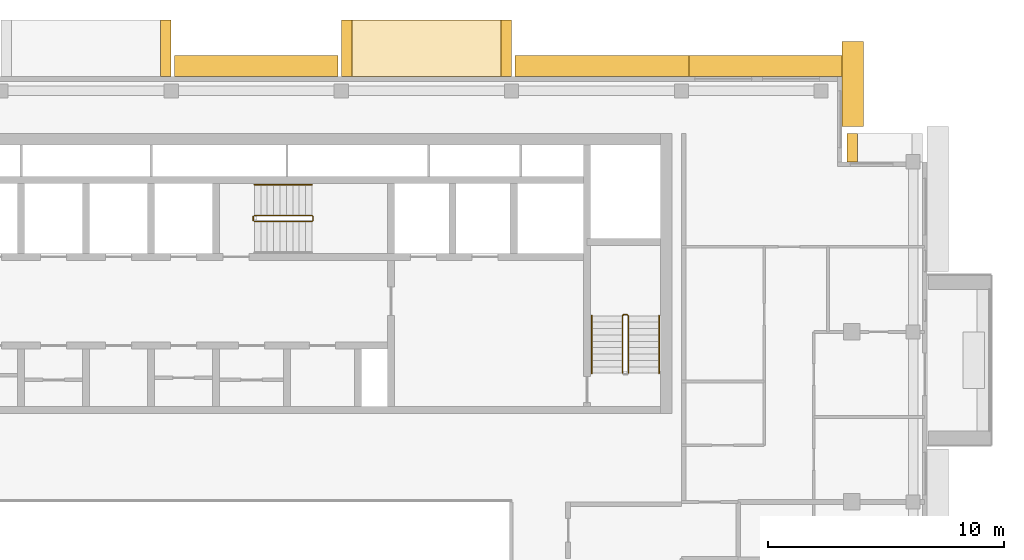
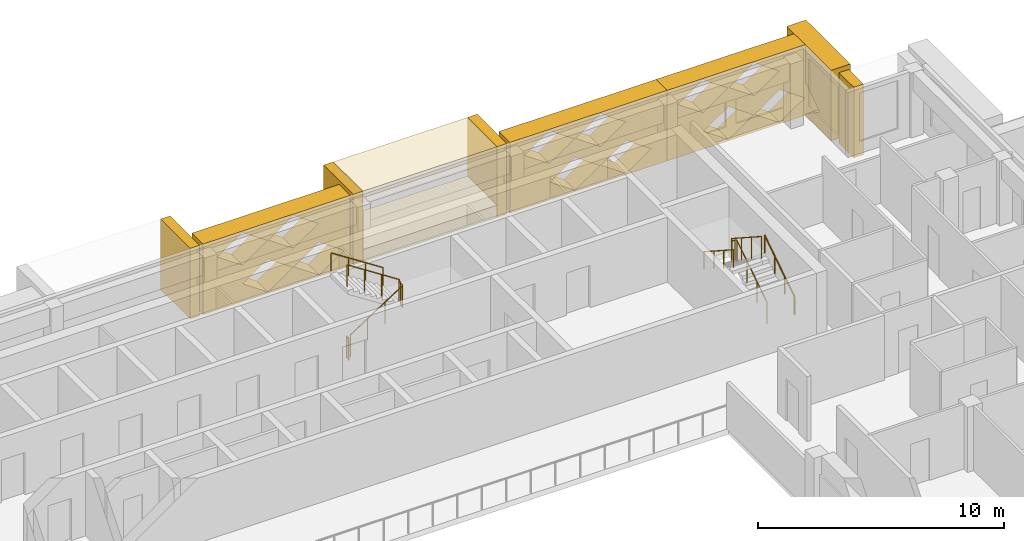
# One storey, part 18 of 19: 10 coverings, 6 railings.
"""IFC4 building model written with IfcOpenShell, lengths in metres."""

from ifc_helpers import new_model, si_unit, direction, frame, origin, origin_2d, place, context, subcontext, project, spatial, polyline, circle, outline, extrude, material, type_object, element, save


model = new_model("IFC4")

# Units and contexts
model_context = context("Model", 3, precision=1e-05, world=origin(), true_north=direction((0.0, 1.0)))
body_context = subcontext(model_context, "Body", "Model", "MODEL_VIEW")
ifc_project = project(units=[si_unit("LENGTHUNIT", "METRE"), si_unit("AREAUNIT", "SQUARE_METRE"), si_unit("VOLUMEUNIT", "CUBIC_METRE"), si_unit("PLANEANGLEUNIT", "RADIAN"), si_unit("MASSUNIT", "GRAM", prefix="KILO")], contexts=[model_context])

# Site, building, storey
site_placement = place(None, origin())
site = spatial("IfcSite", under=ifc_project, at=site_placement, CompositionType="ELEMENT")
building_placement = place(site_placement, origin())
building = spatial("IfcBuilding", under=site, at=building_placement, Name="Saffron Iwan Residences", CompositionType="ELEMENT")
storey_placement = place(building_placement, frame((0.0, 0.0, 253.5)))
storey = spatial("IfcBuildingStorey", under=building, at=storey_placement, Name="L68", CompositionType="ELEMENT", Elevation=253.5)

# Coverings
ifc_material_1 = material(Name="Precast concrete C40/50", Category="concrete")
covering_type_1 = type_object("IfcCoveringType", Name="OUTER SKIN LATTICE SCREEN", PredefinedType="CLADDING", material=ifc_material_1)
covering_1_placement = place(storey_placement, frame((78.800048828125, 78.300048828125, -0.280029296875), z_axis=(1.0, 0.0, 0.0), x_axis=(0.0, 1.0, 0.0)))
element("IfcCovering", 1, at=covering_1_placement, inside=storey, type_object=covering_type_1, Name="OUTER SKIN lattice screen L68 F4.0", PredefinedType="CLADDING", context=body_context, shape_type="SweptSolid", body=[
    extrude(outline(polyline([(0.0, 0.0), (3.60009765625, 0.0), (3.60009765625, 3.5), (0.0, 3.5), (0.0, 0.0)]), holes=[polyline([(0.919921875, 0.875), (2.10009765625, 0.06005859375), (3.280029296875, 0.875), (2.10009765625, 1.68994140625), (0.919921875, 0.875)])]), origin(), (0.0, 0.0, 1.0), 0.89990234375),
])
covering_2_placement = place(storey_placement, frame((79.699951171875, 80.39990234375, -0.280029296875), z_axis=(0.0, 1.0, 0.0), x_axis=(-1.0, 0.0, 0.0)))
element("IfcCovering", 2, at=covering_2_placement, inside=storey, type_object=covering_type_1, Name="OUTER SKIN lattice screen L68 F5.0", PredefinedType="CLADDING", context=body_context, shape_type="SweptSolid", body=[
    extrude(outline(polyline([(0.0, 0.0), (7.375, 0.0), (7.375, 3.5), (0.0, 3.5), (0.0, 0.0)]), holes=[polyline([(0.919921875, 0.875), (2.10009765625, 0.06005859375), (3.280029296875, 0.875), (2.10009765625, 1.68994140625), (0.919921875, 0.875)]), polyline([(3.320068359375, 0.875), (4.5, 0.06005859375), (5.679931640625, 0.875), (4.5, 1.68994140625), (3.320068359375, 0.875)]), polyline([(2.1201171875, 2.625), (3.300048828125, 1.81005859375), (4.47998046875, 2.625), (3.300048828125, 3.43994140625), (2.1201171875, 2.625)]), polyline([(4.52001953125, 2.625), (5.699951171875, 1.81005859375), (6.8798828125, 2.625), (5.699951171875, 3.43994140625), (4.52001953125, 2.625)])]), origin(), (0.0, 0.0, 1.0), 0.900146484375),
])
covering_3_placement = place(storey_placement, frame((72.324951171875, 80.39990234375, -0.280029296875), z_axis=(0.0, 1.0, 0.0), x_axis=(-1.0, 0.0, 0.0)))
element("IfcCovering", 3, at=covering_3_placement, inside=storey, type_object=covering_type_1, Name="OUTER SKIN lattice screen L68 F5.1", PredefinedType="CLADDING", context=body_context, shape_type="SweptSolid", body=[
    extrude(outline(polyline([(0.0, 0.0), (7.375, 0.0), (7.375, 3.5), (0.0, 3.5), (0.0, 0.0)]), holes=[polyline([(0.7451171875, 0.875), (1.925048828125, 0.06005859375), (3.10498046875, 0.875), (1.925048828125, 1.68994140625), (0.7451171875, 0.875)]), polyline([(3.14501953125, 0.875), (4.324951171875, 0.06005859375), (5.5048828125, 0.875), (4.324951171875, 1.68994140625), (3.14501953125, 0.875)]), polyline([(1.945068359375, 2.625), (3.125, 1.81005859375), (4.304931640625, 2.625), (3.125, 3.43994140625), (1.945068359375, 2.625)]), polyline([(4.344970703125, 2.625), (5.52490234375, 1.81005859375), (6.705078125, 2.625), (5.52490234375, 3.43994140625), (4.344970703125, 2.625)])]), origin(), (0.0, 0.0, 1.0), 0.900146484375),
])
covering_4_placement = place(storey_placement, frame((57.449951171875, 80.39990234375, -0.280029296875), z_axis=(0.0, 1.0, 0.0), x_axis=(-1.0, 0.0, 0.0)))
element("IfcCovering", 4, at=covering_4_placement, inside=storey, type_object=covering_type_1, Name="OUTER SKIN lattice screen L68 F5.2", PredefinedType="CLADDING", context=body_context, shape_type="SweptSolid", body=[
    extrude(outline(polyline([(0.0, 0.0), (6.89990234375, 0.0), (6.89990234375, 3.5), (0.0, 3.5), (0.0, 0.0)]), holes=[polyline([(0.27001953125, 0.875), (1.449951171875, 0.06005859375), (2.6298828125, 0.875), (1.449951171875, 1.68994140625), (0.27001953125, 0.875)]), polyline([(2.669921875, 0.875), (3.85009765625, 0.06005859375), (5.030029296875, 0.875), (3.85009765625, 1.68994140625), (2.669921875, 0.875)]), polyline([(1.469970703125, 2.625), (2.64990234375, 1.81005859375), (3.830078125, 2.625), (2.64990234375, 3.43994140625), (1.469970703125, 2.625)]), polyline([(3.8701171875, 2.625), (5.050048828125, 1.81005859375), (6.22998046875, 2.625), (5.050048828125, 3.43994140625), (3.8701171875, 2.625)])]), origin(), (0.0, 0.0, 1.0), 0.900146484375),
])

# Railings
ifc_material_2 = material(Name="Steel S355", Category="steel")
railing_type_1 = type_object("IfcRailingType", Name="Stair guard 1100", PredefinedType="GUARDRAIL", material=ifc_material_2)
railing_1_placement = place(storey_placement, frame((53.925048828125, 74.27490234375, 0.175048828125)))
element("IfcRailing", 5, at=railing_1_placement, inside=storey, type_object=railing_type_1, Name="L68 ST-C stair guard 1", PredefinedType="GUARDRAIL", context=body_context, shape_type="SweptSolid", body=[
    extrude(circle(Radius=0.02392578125, at=origin_2d()), frame((0.0, 0.0, 1.076171875), z_axis=(0.839153699163, 0.0, 0.543894354798), x_axis=(0.0, 1.0, 0.0)), (0.0, 0.0, 1.0), 2.895751953125),
    extrude(circle(Radius=0.02392578125, at=origin_2d()), frame((2.429931640625, 0.0, 2.65087890625), z_axis=(0.707106781187, 0.707106781187, 0.0), x_axis=(-0.707106781187, 0.707106781187, 0.0)), (0.0, 0.0, 1.0), 0.07080078125),
    extrude(circle(Radius=0.02392578125, at=origin_2d()), frame((2.47998046875, 0.050048828125, 2.65087890625), z_axis=(0.0, 1.0, 0.0), x_axis=(-1.0, 0.0, 0.0)), (0.0, 0.0, 1.0), 0.150146484375),
    extrude(circle(Radius=0.02392578125, at=origin_2d()), frame((2.47998046875, 0.2001953125, 2.65087890625), z_axis=(-0.265155923931, 0.263862480399, 0.927399011991), x_axis=(-0.705375805398, -0.708833529934, 0.0)), (0.0, 0.0, 1.0), 0.188720703125),
    extrude(circle(Radius=0.02392578125, at=origin_2d()), frame((2.429931640625, 0.25, 2.826171875), z_axis=(-0.839153699163, 0.0, 0.543894354798), x_axis=(0.0, -1.0, 0.0)), (0.0, 0.0, 1.0), 2.895751953125),
    extrude(circle(Radius=0.02099609375, at=origin_2d()), origin(), (0.0, 0.0, 1.0), 1.052001953125),
    extrude(circle(Radius=0.02099609375, at=origin_2d()), frame((0.81005859375, 0.0, 0.52490234375)), (0.0, 0.0, 1.0), 1.052001953125),
    extrude(circle(Radius=0.02099609375, at=origin_2d()), frame((1.619873046875, 0.0, 1.050048828125)), (0.0, 0.0, 1.0), 1.052001953125),
    extrude(circle(Radius=0.02099609375, at=origin_2d()), frame((2.429931640625, 0.0, 1.574951171875)), (0.0, 0.0, 1.0), 1.052001953125),
    extrude(circle(Radius=0.02099609375, at=origin_2d()), frame((2.47998046875, 0.050048828125, 1.574951171875)), (0.0, 0.0, 1.0), 1.052001953125),
    extrude(circle(Radius=0.02099609375, at=origin_2d()), frame((2.47998046875, 0.2001953125, 1.574951171875)), (0.0, 0.0, 1.0), 1.052001953125),
    extrude(circle(Radius=0.02099609375, at=origin_2d()), frame((2.429931640625, 0.25, 1.75)), (0.0, 0.0, 1.0), 1.052001953125),
    extrude(circle(Radius=0.02099609375, at=origin_2d()), frame((1.619873046875, 0.25, 2.27490234375)), (0.0, 0.0, 1.0), 1.052001953125),
    extrude(circle(Radius=0.02099609375, at=origin_2d()), frame((0.81005859375, 0.25, 2.800048828125)), (0.0, 0.0, 1.0), 1.052001953125),
    extrude(circle(Radius=0.02099609375, at=origin_2d()), frame((0.0, 0.25, 3.324951171875)), (0.0, 0.0, 1.0), 1.052001953125),
])
railing_2_placement = place(storey_placement, frame((53.875, 74.324951171875, 0.0)))
element("IfcRailing", 6, at=railing_2_placement, inside=storey, type_object=railing_type_1, Name="L68 ST-C stair guard 2", PredefinedType="GUARDRAIL", context=body_context, shape_type="SweptSolid", body=[
    extrude(circle(Radius=0.02392578125, at=origin_2d()), frame((0.0, 0.0, 1.076171875), z_axis=(0.0, 1.0, 0.0), x_axis=(-1.0, 0.0, 0.0)), (0.0, 0.0, 1.0), 0.150146484375),
    extrude(circle(Radius=0.02099609375, at=origin_2d()), origin(), (0.0, 0.0, 1.0), 1.052001953125),
    extrude(circle(Radius=0.02099609375, at=origin_2d()), frame((0.0, 0.150146484375, 0.0)), (0.0, 0.0, 1.0), 1.052001953125),
])
railing_3_placement = place(storey_placement, frame((69.75, 67.85009765625, 0.175048828125)))
element("IfcRailing", 7, at=railing_3_placement, inside=storey, type_object=railing_type_1, Name="L68 ST-E stair guard 1", PredefinedType="GUARDRAIL", context=body_context, shape_type="SweptSolid", body=[
    extrude(circle(Radius=0.02392578125, at=origin_2d()), frame((0.0, 0.0, 1.076171875), z_axis=(0.0, 0.839153699163, 0.543894354798), x_axis=(-1.0, 0.0, 0.0)), (0.0, 0.0, 1.0), 2.895751953125),
    extrude(circle(Radius=0.02392578125, at=origin_2d()), frame((0.0, 2.429931640625, 2.65087890625), z_axis=(-0.707106781187, 0.707106781187, 0.0), x_axis=(-0.707106781187, -0.707106781187, 0.0)), (0.0, 0.0, 1.0), 0.07080078125),
    extrude(circle(Radius=0.02392578125, at=origin_2d()), frame((-0.050048828125, 2.47998046875, 2.65087890625), z_axis=(-1.0, 0.0, 0.0), x_axis=(0.0, -1.0, 0.0)), (0.0, 0.0, 1.0), 0.14990234375),
    extrude(circle(Radius=0.02392578125, at=origin_2d()), frame((-0.199951171875, 2.47998046875, 2.65087890625), z_axis=(-0.265065253269, -0.265065253269, 0.927081885822), x_axis=(0.707106781187, -0.707106781187, 0.0)), (0.0, 0.0, 1.0), 0.188720703125),
    extrude(circle(Radius=0.02392578125, at=origin_2d()), frame((-0.25, 2.429931640625, 2.826171875), z_axis=(0.0, -0.839153699163, 0.543894354798), x_axis=(1.0, 0.0, 0.0)), (0.0, 0.0, 1.0), 2.895751953125),
    extrude(circle(Radius=0.02099609375, at=origin_2d()), origin(), (0.0, 0.0, 1.0), 1.052001953125),
    extrude(circle(Radius=0.02099609375, at=origin_2d()), frame((0.0, 0.81005859375, 0.52490234375)), (0.0, 0.0, 1.0), 1.052001953125),
    extrude(circle(Radius=0.02099609375, at=origin_2d()), frame((0.0, 1.619873046875, 1.050048828125)), (0.0, 0.0, 1.0), 1.052001953125),
    extrude(circle(Radius=0.02099609375, at=origin_2d()), frame((0.0, 2.429931640625, 1.574951171875)), (0.0, 0.0, 1.0), 1.052001953125),
    extrude(circle(Radius=0.02099609375, at=origin_2d()), frame((-0.050048828125, 2.47998046875, 1.574951171875)), (0.0, 0.0, 1.0), 1.052001953125),
    extrude(circle(Radius=0.02099609375, at=origin_2d()), frame((-0.199951171875, 2.47998046875, 1.574951171875)), (0.0, 0.0, 1.0), 1.052001953125),
    extrude(circle(Radius=0.02099609375, at=origin_2d()), frame((-0.25, 2.429931640625, 1.75)), (0.0, 0.0, 1.0), 1.052001953125),
    extrude(circle(Radius=0.02099609375, at=origin_2d()), frame((-0.25, 1.619873046875, 2.27490234375)), (0.0, 0.0, 1.0), 1.052001953125),
    extrude(circle(Radius=0.02099609375, at=origin_2d()), frame((-0.25, 0.81005859375, 2.800048828125)), (0.0, 0.0, 1.0), 1.052001953125),
    extrude(circle(Radius=0.02099609375, at=origin_2d()), frame((-0.25, 0.0, 3.324951171875)), (0.0, 0.0, 1.0), 1.052001953125),
])
ifc_material_3 = material(Name="Stainless steel 316", Category="steel")
railing_type_2 = type_object("IfcRailingType", Name="Stair handrail 900", PredefinedType="HANDRAIL", material=ifc_material_3)
railing_4_placement = place(storey_placement, frame((56.35498046875, 75.824951171875, 1.925048828125)))
element("IfcRailing", 8, at=railing_4_placement, inside=storey, type_object=railing_type_2, Name="L68 ST-C stair handrail 2", PredefinedType="HANDRAIL", context=body_context, shape_type="SweptSolid", body=[
    extrude(circle(Radius=0.02392578125, at=origin_2d()), frame((0.0, 0.0, 0.8759765625), z_axis=(-0.839153699163, 0.0, 0.543894354798), x_axis=(0.0, -1.0, 0.0)), (0.0, 0.0, 1.0), 2.895751953125),
    extrude(circle(Radius=0.02099609375, at=origin_2d()), origin(), (0.0, 0.0, 1.0), 0.851806640625),
    extrude(circle(Radius=0.02099609375, at=origin_2d()), frame((-0.81005859375, 0.0, 0.52490234375)), (0.0, 0.0, 1.0), 0.851806640625),
    extrude(circle(Radius=0.02099609375, at=origin_2d()), frame((-1.619873046875, 0.0, 1.050048828125)), (0.0, 0.0, 1.0), 0.851806640625),
    extrude(circle(Radius=0.02099609375, at=origin_2d()), frame((-2.429931640625, 0.0, 1.574951171875)), (0.0, 0.0, 1.0), 0.851806640625),
])
railing_5_placement = place(storey_placement, frame((71.050048828125, 67.85009765625, 0.175048828125)))
element("IfcRailing", 9, at=railing_5_placement, inside=storey, type_object=railing_type_2, Name="L68 ST-E stair handrail 1", PredefinedType="HANDRAIL", context=body_context, shape_type="SweptSolid", body=[
    extrude(circle(Radius=0.02392578125, at=origin_2d()), frame((0.0, 0.0, 0.8759765625), z_axis=(0.0, 0.839153699163, 0.543894354798), x_axis=(-1.0, 0.0, 0.0)), (0.0, 0.0, 1.0), 2.895751953125),
    extrude(circle(Radius=0.02099609375, at=origin_2d()), origin(), (0.0, 0.0, 1.0), 0.851806640625),
    extrude(circle(Radius=0.02099609375, at=origin_2d()), frame((0.0, 0.81005859375, 0.52490234375)), (0.0, 0.0, 1.0), 0.851806640625),
    extrude(circle(Radius=0.02099609375, at=origin_2d()), frame((0.0, 1.619873046875, 1.050048828125)), (0.0, 0.0, 1.0), 0.851806640625),
    extrude(circle(Radius=0.02099609375, at=origin_2d()), frame((0.0, 2.429931640625, 1.574951171875)), (0.0, 0.0, 1.0), 0.851806640625),
])
railing_6_placement = place(storey_placement, frame((68.199951171875, 70.280029296875, 1.925048828125)))
element("IfcRailing", 10, at=railing_6_placement, inside=storey, type_object=railing_type_2, Name="L68 ST-E stair handrail 2", PredefinedType="HANDRAIL", context=body_context, shape_type="SweptSolid", body=[
    extrude(circle(Radius=0.02392578125, at=origin_2d()), frame((0.0, 0.0, 0.8759765625), z_axis=(0.0, -0.839153699163, 0.543894354798), x_axis=(1.0, 0.0, 0.0)), (0.0, 0.0, 1.0), 2.895751953125),
    extrude(circle(Radius=0.02099609375, at=origin_2d()), origin(), (0.0, 0.0, 1.0), 0.851806640625),
    extrude(circle(Radius=0.02099609375, at=origin_2d()), frame((0.0, -0.81005859375, 0.52490234375)), (0.0, 0.0, 1.0), 0.851806640625),
    extrude(circle(Radius=0.02099609375, at=origin_2d()), frame((0.0, -1.619873046875, 1.050048828125)), (0.0, 0.0, 1.0), 0.851806640625),
    extrude(circle(Radius=0.02099609375, at=origin_2d()), frame((0.0, -2.429931640625, 1.574951171875)), (0.0, 0.0, 1.0), 0.851806640625),
])

# Coverings
ifc_material_4 = material(Name="Precast concrete C40/50 white painted", Category="concrete")
covering_type_2 = type_object("IfcCoveringType", Name="WHITE SUN FRAME PRECAST", PredefinedType="CLADDING", material=ifc_material_4)
covering_5_placement = place(storey_placement, frame((79.449951171875, 76.800048828125, -0.280029296875), z_axis=(0.0, 1.0, 0.0), x_axis=(-1.0, 0.0, 0.0)))
element("IfcCovering", 11, at=covering_5_placement, inside=storey, type_object=covering_type_2, Name="Sun frame L68 F3 0.2b", PredefinedType="CLADDING", context=body_context, shape_type="SweptSolid", body=[
    extrude(outline(polyline([(0.0, 0.0), (0.449951171875, 0.0), (0.449951171875, 3.5), (0.0, 3.5), (0.0, 0.0)])), origin(), (0.0, 0.0, 1.0), 1.199951171875),
])
for number, where, z_axis, x_axis, name in (
    (12, (64.800048828125, 80.39990234375, -0.280029296875), (0.0, 1.0, 0.0), (-1.0, 0.0, 0.0), "Sun frame L68 F5 14.0a"),
    (13, (58.050048828125, 80.39990234375, -0.280029296875), (0.0, 1.0, 0.0), (-1.0, 0.0, 0.0), "Sun frame L68 F5 14.0b"),
):
    element("IfcCovering", number, at=place(storey_placement, frame(where, z_axis=z_axis, x_axis=x_axis)), inside=storey, type_object=covering_type_2, Name=name, PredefinedType="CLADDING", context=body_context, shape_type="SweptSolid", body=[
        extrude(outline(polyline([(0.0, 0.0), (0.449951171875, 0.0), (0.449951171875, 3.5), (0.0, 3.5), (0.0, 0.0)])), origin(), (0.0, 0.0, 1.0), 2.400146484375),
    ])
for number, where, z_axis, x_axis, name in (
    (14, (64.35009765625, 80.39990234375, 2.6201171875), (0.0, 1.0, 0.0), (-1.0, 0.0, 0.0), "Sun frame L68 F5 14.0h"),
    (15, (64.35009765625, 80.39990234375, -0.280029296875), (0.0, 1.0, 0.0), (-1.0, 0.0, 0.0), "Sun frame L68 F5 14.0s"),
):
    element("IfcCovering", number, at=place(storey_placement, frame(where, z_axis=z_axis, x_axis=x_axis)), inside=storey, type_object=covering_type_2, Name=name, PredefinedType="CLADDING", context=body_context, shape_type="SweptSolid", body=[
        extrude(outline(polyline([(0.0, 0.0), (6.300048828125, 0.0), (6.300048828125, 0.60009765625), (0.0, 0.60009765625), (0.0, 0.0)])), origin(), (0.0, 0.0, 1.0), 2.400146484375),
    ])
covering_6_placement = place(storey_placement, frame((50.39990234375, 80.39990234375, -0.280029296875), z_axis=(0.0, 1.0, 0.0), x_axis=(-1.0, 0.0, 0.0)))
element("IfcCovering", 16, at=covering_6_placement, inside=storey, type_object=covering_type_2, Name="Sun frame L68 F5 28.4a", PredefinedType="CLADDING", context=body_context, shape_type="SweptSolid", body=[
    extrude(outline(polyline([(0.0, 0.0), (0.449951171875, 0.0), (0.449951171875, 3.5), (0.0, 3.5), (0.0, 0.0)])), origin(), (0.0, 0.0, 1.0), 2.400146484375),
])

save(model, "model.ifc")
